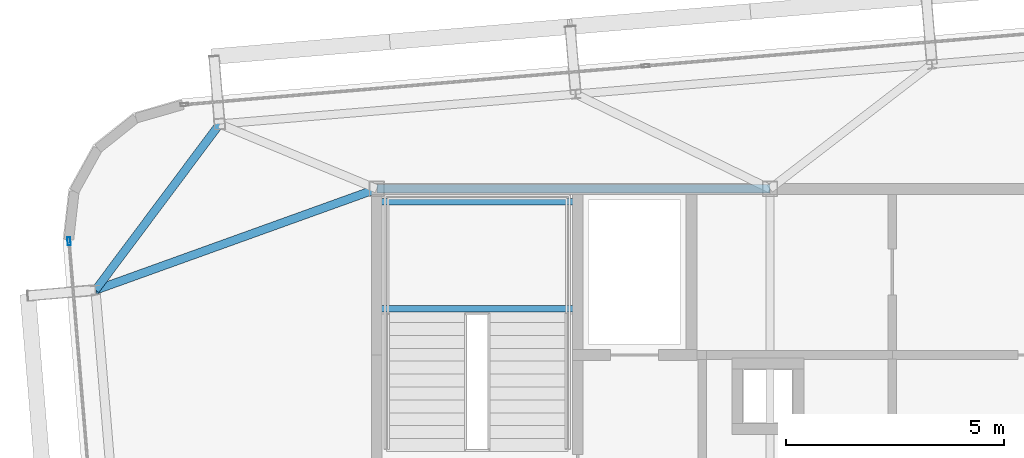
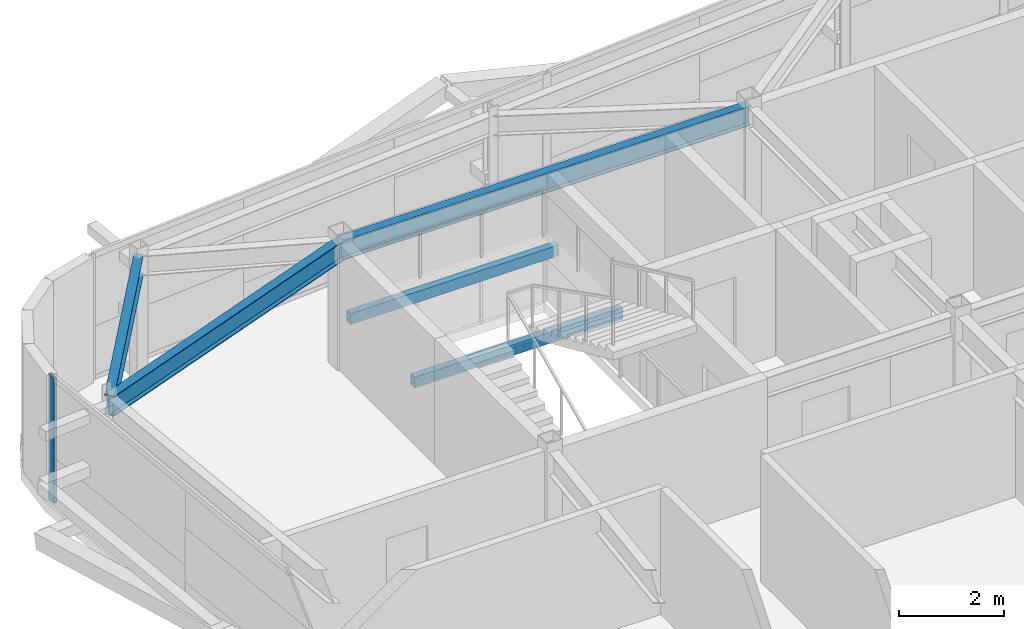
# One storey, part 14 of 39: 5 beams, 1 member, 1 element without a shape of its own.
"""IFC4 building model written with IfcOpenShell, lengths in metres."""

from ifc_helpers import new_model, si_unit, direction, frame, origin, origin_2d, place, context, subcontext, project, spatial, hollow_rectangle, i_section, extrude, source, transform, mapped, material, layer, layer_set, material_profile, profile_set, type_object, element, aggregate, save


model = new_model("IFC4")

# Units and contexts
model_context = context("Model", 3, precision=1e-05, world=origin(), true_north=direction((0.0, 1.0)))
body_context = subcontext(model_context, "Body", "Model", "MODEL_VIEW")
ifc_project = project(units=[si_unit("LENGTHUNIT", "METRE"), si_unit("AREAUNIT", "SQUARE_METRE"), si_unit("VOLUMEUNIT", "CUBIC_METRE"), si_unit("PLANEANGLEUNIT", "RADIAN"), si_unit("MASSUNIT", "GRAM", prefix="KILO")], contexts=[model_context])

# Site, building, storey
site_placement = place(None, origin())
site = spatial("IfcSite", under=ifc_project, at=site_placement, CompositionType="ELEMENT")
building_placement = place(site_placement, origin())
building = spatial("IfcBuilding", under=site, at=building_placement, Name="Taldren Reach Tower", CompositionType="ELEMENT")
storey_placement = place(building_placement, frame((0.0, 0.0, 178.85009765625)))
storey = spatial("IfcBuildingStorey", under=building, at=storey_placement, Name="L54", CompositionType="ELEMENT", Elevation=178.85009765625)

# Beams
ifc_material_1 = material(Name="Steel Gr 350 (350PLUS)", Category="steel")
ifc_material_profile_1 = material_profile(ifc_material_1, i_section(OverallWidth=0.19091796875, OverallDepth=0.4599609375, WebThickness=0.010009765625, FlangeThickness=0.01611328125, at=origin_2d()), Name="460UB82.1")
ifc_profile_set_1 = profile_set([ifc_material_profile_1], Name="Steel Gr 350 (350PLUS)")
beam_type_1 = type_object("IfcBeamType", Name="BM-UB460A", PredefinedType="BEAM", material=ifc_profile_set_1)
shared_shape_1 = source(origin(), body_context, "Body", "SweptSolid", [
    extrude(i_section(OverallWidth=0.19091796875, OverallDepth=0.4599609375, WebThickness=0.010009765625, FlangeThickness=0.01611328125, at=origin_2d()), origin(), (0.0, 0.0, 1.0), 9.0),
])
beam_1_placement = place(storey_placement, frame((19.0, 32.0, 2.699951171875), z_axis=(1.0, 0.0, 0.0), x_axis=(0.0, 1.0, 0.0)))
element("IfcBeam", 1, at=beam_1_placement, inside=storey, type_object=beam_type_1, Name="Core-spine girder L54-SP04", PredefinedType="BEAM", context=body_context, shape_type="MappedRepresentation", body=[
    mapped(shared_shape_1, transform((0.0, 0.0, 0.0), scale=1.0)),
])
ifc_material_profile_2 = material_profile(ifc_material_1, i_section(OverallWidth=0.18994140625, OverallDepth=0.4541015625, WebThickness=0.008544921875, FlangeThickness=0.0126953125, at=origin_2d()), Name="460UB67.1")
ifc_profile_set_2 = profile_set([ifc_material_profile_2], Name="Steel Gr 350 (350PLUS)")
beam_type_2 = type_object("IfcBeamType", Name="SP-UB460B", PredefinedType="SPANDREL", material=ifc_profile_set_2)
shared_shape_2 = source(origin(), body_context, "Body", "SweptSolid", [
    extrude(i_section(OverallWidth=0.18994140625, OverallDepth=0.4541015625, WebThickness=0.008544921875, FlangeThickness=0.0126953125, at=origin_2d()), origin(), (0.0, 0.0, 1.0), 4.74609375),
])
beam_2_placement = place(storey_placement, frame((15.40380859375, 33.483642578125, 2.702880859375), z_axis=(-0.598764719121, -0.800924972226, 0.0), x_axis=(0.800924972226, -0.598764719121, 0.0)))
element("IfcBeam", 2, at=beam_2_placement, inside=storey, type_object=beam_type_2, Name="Perimeter spandrel B4 N1-W3 L54", PredefinedType="SPANDREL", context=body_context, shape_type="MappedRepresentation", body=[
    mapped(shared_shape_2, transform((0.0, 0.0, 0.0), scale=1.0)),
])
shared_shape_3 = source(origin(), body_context, "Body", "SweptSolid", [
    extrude(i_section(OverallWidth=0.19091796875, OverallDepth=0.4599609375, WebThickness=0.010009765625, FlangeThickness=0.01611328125, at=origin_2d()), origin(), (0.0, 0.0, 1.0), 6.842529296875),
])
beam_3_placement = place(storey_placement, frame((19.0, 32.0, 2.699951171875), z_axis=(-0.940889686088, -0.33871315093, 0.0), x_axis=(0.33871315093, -0.940889686088, 0.0)))
element("IfcBeam", 3, at=beam_3_placement, inside=storey, type_object=beam_type_1, Name="Primary floor girder B4-W3 L54", PredefinedType="BEAM", context=body_context, shape_type="MappedRepresentation", body=[
    mapped(shared_shape_3, transform((0.0, 0.0, 0.0), scale=1.0)),
])

# Curtain wall, member
ifc_material_2 = material(Name="Aluminium and Low-E Glass Unitised System", Category="aluminium")
ifc_layer = layer(ifc_material_2, 0.159912109375)
ifc_layer_set = layer_set([ifc_layer], Name="Aluminium and Low-E Glass Unitised System")
curtain_wall_type = type_object("IfcCurtainWallType", Name="CW-SYS-5", PredefinedType="NOTDEFINED", material=ifc_layer_set)
curtain_wall_placement = place(storey_placement, origin())
curtain_wall = element("IfcCurtainWall", 4, at=curtain_wall_placement, inside=storey, type_object=curtain_wall_type, Name="Unitised curtain wall CW-L54-W", PredefinedType="NOTDEFINED")
ifc_material_3 = material(Name="Anodised Aluminium 6063-T6", Category="aluminium")
ifc_material_profile_3 = material_profile(ifc_material_3, hollow_rectangle(XDim=0.070068359375, YDim=0.179931640625, WallThickness=0.00390625, at=origin_2d()), Name="ALU-180x70x4RHS")
ifc_profile_set_3 = profile_set([ifc_material_profile_3], Name="Anodised Aluminium 6063-T6")
member_type = type_object("IfcMemberType", Name="CW-MUL-180", PredefinedType="MULLION", material=ifc_profile_set_3)
shared_shape_4 = source(origin(), body_context, "Body", "SweptSolid", [
    extrude(hollow_rectangle(XDim=0.070068359375, YDim=0.179931640625, WallThickness=0.00390625, at=origin_2d()), origin(), (0.0, 0.0, 1.0), 2.929931640625),
])
member_placement = place(storey_placement, frame((11.956298828125, 30.800537109375, 0.0), z_axis=(0.0, 0.0, 1.0), x_axis=(0.996492847789, 0.083677979808, 0.0)))
member = element("IfcMember", 5, at=member_placement, type_object=member_type, Name="CW-5 mullion 1", PredefinedType="MULLION", context=body_context, shape_type="MappedRepresentation", body=[
    mapped(shared_shape_4, transform((0.0, 0.0, 0.0), scale=1.0)),
])
aggregate(curtain_wall, [member])

# Beams
ifc_material_4 = material(Name="Steel Gr 350 (C350L0)", Category="steel")
ifc_material_profile_4 = material_profile(ifc_material_4, hollow_rectangle(XDim=0.14990234375, YDim=0.25, WallThickness=0.009033203125, at=origin_2d()), Name="250x150x9.0RHS")
ifc_profile_set_4 = profile_set([ifc_material_profile_4], Name="Steel Gr 350 (C350L0)")
beam_type_3 = type_object("IfcBeamType", Name="LN-RHS250", PredefinedType="LINTEL", material=ifc_profile_set_4)
shared_shape_5 = source(origin(), body_context, "Body", "SweptSolid", [
    extrude(hollow_rectangle(XDim=0.14990234375, YDim=0.25, WallThickness=0.009033203125, at=origin_2d()), origin(), (0.0, 0.0, 1.0), 4.60009765625),
])
for number, where, z_axis, x_axis, name in (
    (6, (19.0, 29.2548828125, 1.27001953125), (1.0, 0.0, 0.0), (0.0, 1.0, 0.0), "Stair half-landing support beam ST1-L54-1"),
    (7, (19.0, 31.699951171875, 1.27001953125), (1.0, 0.0, 0.0), (0.0, 1.0, 0.0), "Stair half-landing support beam ST1-L54-2"),
):
    element("IfcBeam", number, at=place(storey_placement, frame(where, z_axis=z_axis, x_axis=x_axis)), inside=storey, type_object=beam_type_3, Name=name, PredefinedType="LINTEL", context=body_context, shape_type="MappedRepresentation", body=[
        mapped(shared_shape_5, transform((0.0, 0.0, 0.0), scale=1.0)),
    ])

save(model, "model.ifc")
